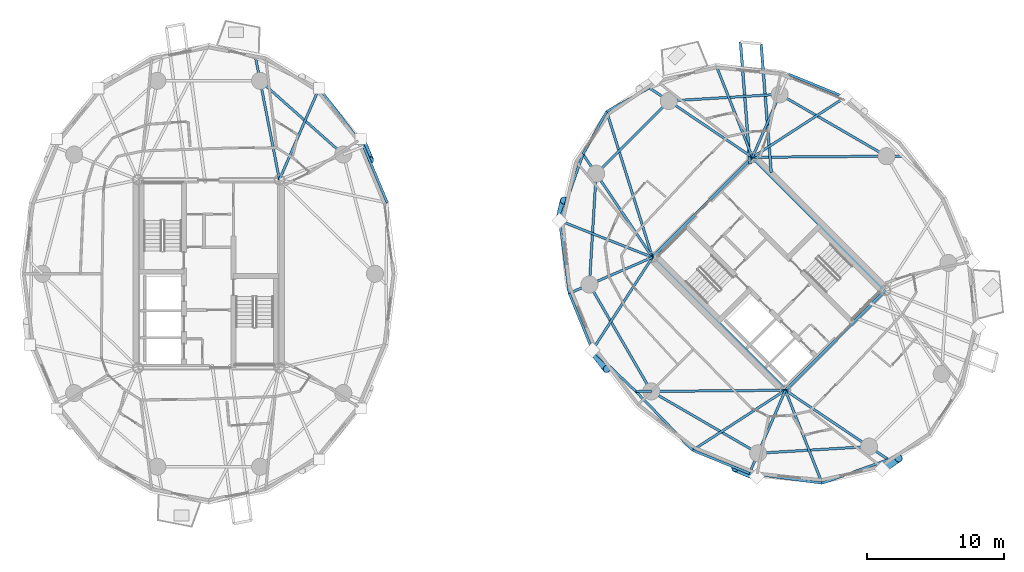
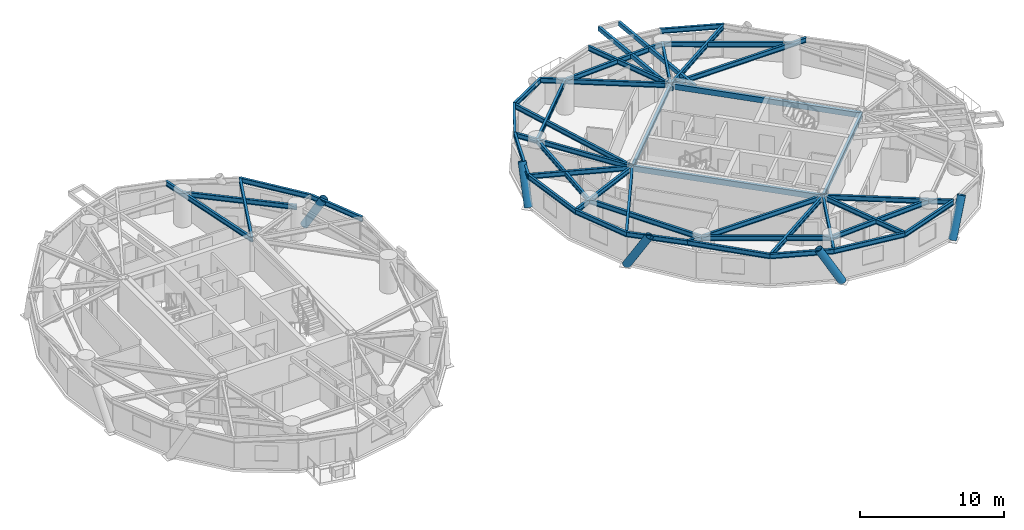
# One storey, part 4 of 19: 45 beams, 5 members.
"""IFC4 building model written with IfcOpenShell, lengths in metres."""

from ifc_helpers import new_model, si_unit, direction, frame, origin, origin_2d, place, context, subcontext, project, spatial, hollow_rectangle, hollow_circle, i_section, extrude, material, material_profile, profile_set, type_object, element, save


model = new_model("IFC4")

# Units and contexts
model_context = context("Model", 3, precision=1e-05, world=origin(), true_north=direction((0.0, 1.0)))
body_context = subcontext(model_context, "Body", "Model", "MODEL_VIEW")
ifc_project = project(units=[si_unit("LENGTHUNIT", "METRE"), si_unit("AREAUNIT", "SQUARE_METRE"), si_unit("VOLUMEUNIT", "CUBIC_METRE"), si_unit("PLANEANGLEUNIT", "RADIAN"), si_unit("MASSUNIT", "GRAM", prefix="KILO")], contexts=[model_context])

# Site, building, storey
site_placement = place(None, origin())
site = spatial("IfcSite", under=ifc_project, at=site_placement, CompositionType="ELEMENT")
building_placement = place(site_placement, origin())
building = spatial("IfcBuilding", under=site, at=building_placement, Name="Cununo Teusaquillo Station Towers", CompositionType="ELEMENT")
storey_placement = place(building_placement, frame((0.0, 0.0, 177.7900390625)))
storey = spatial("IfcBuildingStorey", under=building, at=storey_placement, Name="L56", CompositionType="ELEMENT", Elevation=177.7900390625)

# Beams
ifc_material_1 = material(Name="Steel EN 10025-2 S355J2", Category="steel")
ifc_material_profile_1 = material_profile(ifc_material_1, hollow_rectangle(XDim=0.199951171875, YDim=0.35009765625, WallThickness=0.013916015625, at=origin_2d()), Name="RHS 350x200x14")
ifc_profile_set_1 = profile_set([ifc_material_profile_1], Name="Steel EN 10025-2 S355J2")
beam_type_1 = type_object("IfcBeamType", Name="BM-BAL-CANT", PredefinedType="BEAM", material=ifc_profile_set_1)
beam_1_placement = place(storey_placement, frame((57.670166015625, 31.895751953125, 2.514892578125), z_axis=(-0.07823802751, 0.996934707517, 0.0), x_axis=(-0.996934707517, -0.07823802751, 0.0)))
element("IfcBeam", 1, at=beam_1_placement, inside=storey, type_object=beam_type_1, Name="L56 Tower B Balcony Cantilever Bracket 1A", PredefinedType="BEAM", context=body_context, shape_type="SweptSolid", body=[
    extrude(hollow_rectangle(XDim=0.199951171875, YDim=0.35009765625, WallThickness=0.013916015625, at=origin_2d()), origin(), (0.0, 0.0, 1.0), 9.458251953125),
])
beam_2_placement = place(storey_placement, frame((56.119384765625, 32.52392578125, 2.514892578125), z_axis=(-0.078230988808, 0.996935259879, 0.0), x_axis=(-0.996935259879, -0.078230988808, 0.0)))
element("IfcBeam", 2, at=beam_2_placement, inside=storey, type_object=beam_type_1, Name="L56 Tower B Balcony Cantilever Bracket 1B", PredefinedType="BEAM", context=body_context, shape_type="SweptSolid", body=[
    extrude(hollow_rectangle(XDim=0.199951171875, YDim=0.35009765625, WallThickness=0.013916015625, at=origin_2d()), origin(), (0.0, 0.0, 1.0), 8.978515625),
])
ifc_material_2 = material(Name="Steel EN 10025-2 S355J2", Category="steel")
ifc_material_profile_2 = material_profile(ifc_material_2, hollow_rectangle(XDim=0.25, YDim=0.449951171875, WallThickness=0.01611328125, at=origin_2d()), Name="RHS 450x250x16")
ifc_profile_set_2 = profile_set([ifc_material_profile_2], Name="Steel EN 10025-2 S355J2")
beam_type_2 = type_object("IfcBeamType", Name="BM-COUP-1", PredefinedType="USERDEFINED", material=ifc_profile_set_2)
for number, where, z_axis, x_axis, name in (
    (3, (58.70556640625, 15.975830078125, 2.46484375), (-0.707106781187, 0.707106781187, 0.0), (-0.707106781187, -0.707106781187, 0.0), "L56 Tower B Core Beam 1"),
    (4, (66.024169921875, 23.29443359375, 2.46484375), (-0.707106781187, 0.707106781187, 0.0), (-0.707106781187, -0.707106781187, 0.0), "L56 Tower B Core Beam 2"),
):
    element("IfcBeam", number, at=place(storey_placement, frame(where, z_axis=z_axis, x_axis=x_axis)), inside=storey, type_object=beam_type_2, Name=name, ObjectType="COUPLING BEAM", PredefinedType="USERDEFINED", context=body_context, shape_type="SweptSolid", body=[
        extrude(hollow_rectangle(XDim=0.25, YDim=0.449951171875, WallThickness=0.01611328125, at=origin_2d()), origin(), (0.0, 0.0, 1.0), 13.760009765625),
    ])
ifc_material_3 = material(Name="Steel ASTM A572 Grade 50", Category="steel")
ifc_material_profile_3 = material_profile(ifc_material_3, i_section(OverallWidth=0.180908203125, OverallDepth=0.4169921875, WebThickness=0.010986328125, FlangeThickness=0.018310546875, FilletRadius=0.012939453125, at=origin_2d()), Name="W16X57")
ifc_profile_set_3 = profile_set([ifc_material_profile_3], Name="Steel ASTM A572 Grade 50")
beam_type_3 = type_object("IfcBeamType", Name="BM-JOIST-1", PredefinedType="JOIST", material=ifc_profile_set_3)
beam_3_placement = place(storey_placement, frame((21.675048828125, 31.3798828125, 2.4814453125), z_axis=(0.397903718051, 0.917427180304, 0.0), x_axis=(-0.917427180304, 0.397903718051, 0.0)))
element("IfcBeam", 5, at=beam_3_placement, inside=storey, type_object=beam_type_3, Name="L56 Tower A Radial Spandrel Joist V03", PredefinedType="JOIST", context=body_context, shape_type="SweptSolid", body=[
    extrude(i_section(OverallWidth=0.180908203125, OverallDepth=0.4169921875, WebThickness=0.010986328125, FlangeThickness=0.018310546875, FilletRadius=0.012939453125, at=origin_2d()), origin(), (0.0, 0.0, 1.0), 7.306884765625),
])
beam_4_placement = place(storey_placement, frame((56.29443359375, 33.024169921875, 2.4814453125), z_axis=(0.839447756954, 0.543440395394, 0.0), x_axis=(-0.543440395394, 0.839447756954, 0.0)))
element("IfcBeam", 6, at=beam_4_placement, inside=storey, type_object=beam_type_3, Name="L56 Tower B Radial Spandrel Joist V01", PredefinedType="JOIST", context=body_context, shape_type="SweptSolid", body=[
    extrude(i_section(OverallWidth=0.180908203125, OverallDepth=0.4169921875, WebThickness=0.010986328125, FlangeThickness=0.018310546875, FilletRadius=0.012939453125, at=origin_2d()), origin(), (0.0, 0.0, 1.0), 8.08203125),
])
beam_5_placement = place(storey_placement, frame((56.29443359375, 33.024169921875, 2.4814453125), z_axis=(-0.367331607091, 0.93009004426, 0.0), x_axis=(-0.93009004426, -0.367331607091, 0.0)))
element("IfcBeam", 7, at=beam_5_placement, inside=storey, type_object=beam_type_3, Name="L56 Tower B Radial Spandrel Joist V03", PredefinedType="JOIST", context=body_context, shape_type="SweptSolid", body=[
    extrude(i_section(OverallWidth=0.180908203125, OverallDepth=0.4169921875, WebThickness=0.010986328125, FlangeThickness=0.018310546875, FilletRadius=0.012939453125, at=origin_2d()), origin(), (0.0, 0.0, 1.0), 7.306884765625),
])
beam_6_placement = place(storey_placement, frame((48.975830078125, 25.70556640625, 2.4814453125), z_axis=(-0.29947962656, 0.954102695351, 0.0), x_axis=(-0.954102695351, -0.29947962656, 0.0)))
element("IfcBeam", 8, at=beam_6_placement, inside=storey, type_object=beam_type_3, Name="L56 Tower B Radial Spandrel Joist V05", PredefinedType="JOIST", context=body_context, shape_type="SweptSolid", body=[
    extrude(i_section(OverallWidth=0.180908203125, OverallDepth=0.4169921875, WebThickness=0.010986328125, FlangeThickness=0.018310546875, FilletRadius=0.012939453125, at=origin_2d()), origin(), (0.0, 0.0, 1.0), 11.179931640625),
])
beam_7_placement = place(storey_placement, frame((48.975830078125, 25.70556640625, 2.4814453125), z_axis=(-0.93009004426, 0.367331607091, 0.0), x_axis=(-0.367331607091, -0.93009004426, 0.0)))
element("IfcBeam", 9, at=beam_7_placement, inside=storey, type_object=beam_type_3, Name="L56 Tower B Radial Spandrel Joist V07", PredefinedType="JOIST", context=body_context, shape_type="SweptSolid", body=[
    extrude(i_section(OverallWidth=0.180908203125, OverallDepth=0.4169921875, WebThickness=0.010986328125, FlangeThickness=0.018310546875, FilletRadius=0.012939453125, at=origin_2d()), origin(), (0.0, 0.0, 1.0), 7.306884765625),
])
for number, where, z_axis, x_axis, name in (
    (10, (48.975830078125, 25.70556640625, 2.4814453125), (-0.543440395394, -0.839447756954, 0.0), (0.839447756954, -0.543440395394, 0.0), "L56 Tower B Radial Spandrel Joist V09"),
    (11, (58.70556640625, 15.975830078125, 2.4814453125), (-0.839447756954, -0.543440395394, 0.0), (0.543440395394, -0.839447756954, 0.0), "L56 Tower B Radial Spandrel Joist V11"),
):
    element("IfcBeam", number, at=place(storey_placement, frame(where, z_axis=z_axis, x_axis=x_axis)), inside=storey, type_object=beam_type_3, Name=name, PredefinedType="JOIST", context=body_context, shape_type="SweptSolid", body=[
        extrude(i_section(OverallWidth=0.180908203125, OverallDepth=0.4169921875, WebThickness=0.010986328125, FlangeThickness=0.018310546875, FilletRadius=0.012939453125, at=origin_2d()), origin(), (0.0, 0.0, 1.0), 8.08203125),
    ])
beam_8_placement = place(storey_placement, frame((58.70556640625, 15.975830078125, 2.4814453125), z_axis=(0.367331607091, -0.93009004426, 0.0), x_axis=(0.93009004426, 0.367331607091, 0.0)))
element("IfcBeam", 12, at=beam_8_placement, inside=storey, type_object=beam_type_3, Name="L56 Tower B Radial Spandrel Joist V13", PredefinedType="JOIST", context=body_context, shape_type="SweptSolid", body=[
    extrude(i_section(OverallWidth=0.180908203125, OverallDepth=0.4169921875, WebThickness=0.010986328125, FlangeThickness=0.018310546875, FilletRadius=0.012939453125, at=origin_2d()), origin(), (0.0, 0.0, 1.0), 7.306884765625),
])
ifc_material_4 = material(Name="Steel ASTM A572 Grade 50", Category="steel")
ifc_material_profile_4 = material_profile(ifc_material_4, i_section(OverallWidth=0.2041015625, OverallDepth=0.35009765625, WebThickness=0.008544921875, FlangeThickness=0.01513671875, FilletRadius=0.011962890625, at=origin_2d()), Name="W14X48")
ifc_profile_set_4 = profile_set([ifc_material_profile_4], Name="Steel ASTM A572 Grade 50")
beam_type_4 = type_object("IfcBeamType", Name="BM-LINTEL-1", PredefinedType="LINTEL", material=ifc_profile_set_4)
for number, where, z_axis, x_axis, name in (
    (13, (58.70556640625, 15.975830078125, 2.514892578125), (0.707106781187, 0.707106781187, 0.0), (-0.707106781187, 0.707106781187, 0.0), "L56 Tower B Core Beam 3"),
    (14, (48.975830078125, 25.70556640625, 2.514892578125), (0.707106781187, 0.707106781187, 0.0), (-0.707106781187, 0.707106781187, 0.0), "L56 Tower B Core Beam 4"),
):
    element("IfcBeam", number, at=place(storey_placement, frame(where, z_axis=z_axis, x_axis=x_axis)), inside=storey, type_object=beam_type_4, Name=name, PredefinedType="LINTEL", context=body_context, shape_type="SweptSolid", body=[
        extrude(i_section(OverallWidth=0.2041015625, OverallDepth=0.35009765625, WebThickness=0.008544921875, FlangeThickness=0.01513671875, FilletRadius=0.011962890625, at=origin_2d()), origin(), (0.0, 0.0, 1.0), 10.35009765625),
    ])
ifc_material_5 = material(Name="Steel ASTM A572 Grade 50", Category="steel")
ifc_material_profile_5 = material_profile(ifc_material_5, i_section(OverallWidth=0.180908203125, OverallDepth=0.4169921875, WebThickness=0.010986328125, FlangeThickness=0.018310546875, FilletRadius=0.012939453125, at=origin_2d()), Name="W16X57")
ifc_profile_set_5 = profile_set([ifc_material_profile_5], Name="Steel ASTM A572 Grade 50")
beam_type_5 = type_object("IfcBeamType", Name="BM-RAD-G2", PredefinedType="BEAM", material=ifc_profile_set_5)
beam_9_placement = place(storey_placement, frame((21.675048828125, 31.3798828125, 2.4814453125), z_axis=(-0.191557018874, 0.981481486591, 0.0), x_axis=(-0.981481486591, -0.191557018874, 0.0)))
element("IfcBeam", 15, at=beam_9_placement, inside=storey, type_object=beam_type_5, Name="L56 Tower A Continuous Overhanging Radial Girder 03", PredefinedType="BEAM", context=body_context, shape_type="SweptSolid", body=[
    extrude(i_section(OverallWidth=0.180908203125, OverallDepth=0.4169921875, WebThickness=0.010986328125, FlangeThickness=0.018310546875, FilletRadius=0.012939453125, at=origin_2d()), origin(), (0.0, 0.0, 1.0), 9.097412109375),
])
beam_10_placement = place(storey_placement, frame((56.29443359375, 33.024169921875, 2.4814453125), z_axis=(0.999964410964, 0.008436634764, 0.0), x_axis=(-0.008436634764, 0.999964410964, 0.0)))
element("IfcBeam", 16, at=beam_10_placement, inside=storey, type_object=beam_type_5, Name="L56 Tower B Continuous Overhanging Radial Girder 01", PredefinedType="BEAM", context=body_context, shape_type="SweptSolid", body=[
    extrude(i_section(OverallWidth=0.180908203125, OverallDepth=0.4169921875, WebThickness=0.010986328125, FlangeThickness=0.018310546875, FilletRadius=0.012939453125, at=origin_2d()), origin(), (0.0, 0.0, 1.0), 10.938720703125),
])
beam_11_placement = place(storey_placement, frame((56.29443359375, 33.024169921875, 2.4814453125), z_axis=(0.397346986387, 0.917668443616, 0.0), x_axis=(-0.917668443616, 0.397346986387, 0.0)))
element("IfcBeam", 17, at=beam_11_placement, inside=storey, type_object=beam_type_5, Name="L56 Tower B Radial Girder 02A", PredefinedType="BEAM", context=body_context, shape_type="SweptSolid", body=[
    extrude(i_section(OverallWidth=0.180908203125, OverallDepth=0.4169921875, WebThickness=0.010986328125, FlangeThickness=0.018310546875, FilletRadius=0.012939453125, at=origin_2d()), origin(), (0.0, 0.0, 1.0), 5.02490234375),
])
for number, where, z_axis, x_axis, name in (
    (18, (56.29443359375, 33.024169921875, 2.4814453125), (-0.829456719326, 0.558570989907, 0.0), (-0.558570989907, -0.829456719326, 0.0), "L56 Tower B Continuous Overhanging Radial Girder 03"),
    (19, (48.975830078125, 25.70556640625, 2.4814453125), (-0.558570989907, 0.829456719326, 0.0), (-0.829456719326, -0.558570989907, 0.0), "L56 Tower B Continuous Overhanging Radial Girder 04"),
):
    element("IfcBeam", number, at=place(storey_placement, frame(where, z_axis=z_axis, x_axis=x_axis)), inside=storey, type_object=beam_type_5, Name=name, PredefinedType="BEAM", context=body_context, shape_type="SweptSolid", body=[
        extrude(i_section(OverallWidth=0.180908203125, OverallDepth=0.4169921875, WebThickness=0.010986328125, FlangeThickness=0.018310546875, FilletRadius=0.012939453125, at=origin_2d()), origin(), (0.0, 0.0, 1.0), 9.097412109375),
    ])
beam_12_placement = place(storey_placement, frame((48.975830078125, 25.70556640625, 2.4814453125), z_axis=(-0.917664823247, -0.397355347486, 0.0), x_axis=(0.397355347486, -0.917664823247, 0.0)))
element("IfcBeam", 20, at=beam_12_placement, inside=storey, type_object=beam_type_5, Name="L56 Tower B Continuous Overhanging Radial Girder 05", PredefinedType="BEAM", context=body_context, shape_type="SweptSolid", body=[
    extrude(i_section(OverallWidth=0.180908203125, OverallDepth=0.4169921875, WebThickness=0.010986328125, FlangeThickness=0.018310546875, FilletRadius=0.012939453125, at=origin_2d()), origin(), (0.0, 0.0, 1.0), 6.632080078125),
])
beam_13_placement = place(storey_placement, frame((58.70556640625, 15.975830078125, 2.4814453125), z_axis=(-0.999964431382, -0.008434214327, 0.0), x_axis=(0.008434214327, -0.999964431382, 0.0)))
element("IfcBeam", 21, at=beam_13_placement, inside=storey, type_object=beam_type_5, Name="L56 Tower B Radial Girder 06A", PredefinedType="BEAM", context=body_context, shape_type="SweptSolid", body=[
    extrude(i_section(OverallWidth=0.180908203125, OverallDepth=0.4169921875, WebThickness=0.010986328125, FlangeThickness=0.018310546875, FilletRadius=0.012939453125, at=origin_2d()), origin(), (0.0, 0.0, 1.0), 9.812744140625),
])
beam_14_placement = place(storey_placement, frame((48.89306640625, 15.89306640625, 2.4814453125), z_axis=(-0.99996423274, -0.008457732613, 0.0), x_axis=(0.008457732613, -0.99996423274, 0.0)))
element("IfcBeam", 22, at=beam_14_placement, inside=storey, type_object=beam_type_5, Name="L56 Tower B Perimeter Overhang Girder 06B", PredefinedType="BEAM", context=body_context, shape_type="SweptSolid", body=[
    extrude(i_section(OverallWidth=0.180908203125, OverallDepth=0.4169921875, WebThickness=0.010986328125, FlangeThickness=0.018310546875, FilletRadius=0.012939453125, at=origin_2d()), origin(), (0.0, 0.0, 1.0), 1.125732421875),
])
beam_15_placement = place(storey_placement, frame((58.70556640625, 15.975830078125, 2.4814453125), z_axis=(-0.397355347486, -0.917664823247, 0.0), x_axis=(0.917664823247, -0.397355347486, 0.0)))
element("IfcBeam", 23, at=beam_15_placement, inside=storey, type_object=beam_type_5, Name="L56 Tower B Continuous Overhanging Radial Girder 07", PredefinedType="BEAM", context=body_context, shape_type="SweptSolid", body=[
    extrude(i_section(OverallWidth=0.180908203125, OverallDepth=0.4169921875, WebThickness=0.010986328125, FlangeThickness=0.018310546875, FilletRadius=0.012939453125, at=origin_2d()), origin(), (0.0, 0.0, 1.0), 6.632080078125),
])
beam_16_placement = place(storey_placement, frame((58.70556640625, 15.975830078125, 2.4814453125), z_axis=(0.829456719326, -0.558570989907, 0.0), x_axis=(0.558570989907, 0.829456719326, 0.0)))
element("IfcBeam", 24, at=beam_16_placement, inside=storey, type_object=beam_type_5, Name="L56 Tower B Continuous Overhanging Radial Girder 08", PredefinedType="BEAM", context=body_context, shape_type="SweptSolid", body=[
    extrude(i_section(OverallWidth=0.180908203125, OverallDepth=0.4169921875, WebThickness=0.010986328125, FlangeThickness=0.018310546875, FilletRadius=0.012939453125, at=origin_2d()), origin(), (0.0, 0.0, 1.0), 9.097412109375),
])
ifc_material_6 = material(Name="Steel ASTM A572 Grade 50", Category="steel")
ifc_material_profile_6 = material_profile(ifc_material_6, i_section(OverallWidth=0.180908203125, OverallDepth=0.4169921875, WebThickness=0.010986328125, FlangeThickness=0.018310546875, FilletRadius=0.012939453125, at=origin_2d()), Name="W16X57")
ifc_profile_set_6 = profile_set([ifc_material_profile_6], Name="Steel ASTM A572 Grade 50")
beam_type_6 = type_object("IfcBeamType", Name="BM-RING-Z3", PredefinedType="SPANDREL", material=ifc_profile_set_6)
beam_17_placement = place(storey_placement, frame((26.347412109375, 33.228515625, 2.4814453125), z_axis=(-0.74832120039, 0.66333655187, 0.0), x_axis=(-0.66333655187, -0.74832120039, 0.0)))
element("IfcBeam", 25, at=beam_17_placement, inside=storey, type_object=beam_type_6, Name="L56 Tower A Structural Column Ring Girder 02", PredefinedType="SPANDREL", context=body_context, shape_type="SweptSolid", body=[
    extrude(i_section(OverallWidth=0.180908203125, OverallDepth=0.4169921875, WebThickness=0.010986328125, FlangeThickness=0.018310546875, FilletRadius=0.012939453125, at=origin_2d()), origin(), (0.0, 0.0, 1.0), 8.1328125),
])
beam_18_placement = place(storey_placement, frame((29.577880859375, 29.6884765625, 2.4814453125), z_axis=(-0.387360300858, 0.921928412253, 0.0), x_axis=(-0.921928412253, -0.387360300858, 0.0)))
element("IfcBeam", 26, at=beam_18_placement, inside=storey, type_object=beam_type_6, Name="L56 Tower A Spandrel Ring Beam 02", PredefinedType="SPANDREL", context=body_context, shape_type="SweptSolid", body=[
    extrude(i_section(OverallWidth=0.180908203125, OverallDepth=0.4169921875, WebThickness=0.010986328125, FlangeThickness=0.018310546875, FilletRadius=0.012939453125, at=origin_2d()), origin(), (0.0, 0.0, 1.0), 4.481201171875),
])
beam_19_placement = place(storey_placement, frame((27.842041015625, 33.81982421875, 2.4814453125), z_axis=(-0.607340349092, 0.794441753916, 0.0), x_axis=(-0.794441753916, -0.607340349092, 0.0)))
element("IfcBeam", 27, at=beam_19_placement, inside=storey, type_object=beam_type_6, Name="L56 Tower A Spandrel Ring Beam 03", PredefinedType="SPANDREL", context=body_context, shape_type="SweptSolid", body=[
    extrude(i_section(OverallWidth=0.180908203125, OverallDepth=0.4169921875, WebThickness=0.010986328125, FlangeThickness=0.018310546875, FilletRadius=0.012939453125, at=origin_2d()), origin(), (0.0, 0.0, 1.0), 5.366943359375),
])
beam_20_placement = place(storey_placement, frame((66.10693359375, 33.10693359375, 2.4814453125), z_axis=(-0.865267103202, 0.501311121078, 0.0), x_axis=(-0.501311121078, -0.865267103202, 0.0)))
element("IfcBeam", 28, at=beam_20_placement, inside=storey, type_object=beam_type_6, Name="L56 Tower B Structural Column Ring Girder 01", PredefinedType="SPANDREL", context=body_context, shape_type="SweptSolid", body=[
    extrude(i_section(OverallWidth=0.180908203125, OverallDepth=0.4169921875, WebThickness=0.010986328125, FlangeThickness=0.018310546875, FilletRadius=0.012939453125, at=origin_2d()), origin(), (0.0, 0.0, 1.0), 9.032958984375),
])
beam_21_placement = place(storey_placement, frame((58.291015625, 37.63525390625, 2.4814453125), z_axis=(-0.998190567048, -0.06012979176, 0.0), x_axis=(0.06012979176, -0.998190567048, 0.0)))
element("IfcBeam", 29, at=beam_21_placement, inside=storey, type_object=beam_type_6, Name="L56 Tower B Structural Column Ring Girder 02", PredefinedType="SPANDREL", context=body_context, shape_type="SweptSolid", body=[
    extrude(i_section(OverallWidth=0.180908203125, OverallDepth=0.4169921875, WebThickness=0.010986328125, FlangeThickness=0.018310546875, FilletRadius=0.012939453125, at=origin_2d()), origin(), (0.0, 0.0, 1.0), 8.132568359375),
])
beam_22_placement = place(storey_placement, frame((50.173095703125, 37.146240234375, 2.4814453125), z_axis=(-0.707106781187, -0.707106781187, 0.0), x_axis=(0.707106781187, -0.707106781187, 0.0)))
element("IfcBeam", 30, at=beam_22_placement, inside=storey, type_object=beam_type_6, Name="L56 Tower B Structural Column Ring Girder 03", PredefinedType="SPANDREL", context=body_context, shape_type="SweptSolid", body=[
    extrude(i_section(OverallWidth=0.180908203125, OverallDepth=0.4169921875, WebThickness=0.010986328125, FlangeThickness=0.018310546875, FilletRadius=0.012939453125, at=origin_2d()), origin(), (0.0, 0.0, 1.0), 7.522705078125),
])
beam_23_placement = place(storey_placement, frame((44.853759765625, 31.826904296875, 2.4814453125), z_axis=(-0.06012979176, -0.998190567048, 0.0), x_axis=(0.998190567048, -0.06012979176, 0.0)))
element("IfcBeam", 31, at=beam_23_placement, inside=storey, type_object=beam_type_6, Name="L56 Tower B Structural Column Ring Girder 04", PredefinedType="SPANDREL", context=body_context, shape_type="SweptSolid", body=[
    extrude(i_section(OverallWidth=0.180908203125, OverallDepth=0.4169921875, WebThickness=0.010986328125, FlangeThickness=0.018310546875, FilletRadius=0.012939453125, at=origin_2d()), origin(), (0.0, 0.0, 1.0), 8.132568359375),
])
for number, where, z_axis, x_axis, name in (
    (32, (44.36474609375, 23.708984375, 2.4814453125), (0.501311121078, -0.865267103202, 0.0), (0.865267103202, 0.501311121078, 0.0), "L56 Tower B Structural Column Ring Girder 05"),
    (33, (48.89306640625, 15.89306640625, 2.4814453125), (0.865267103202, -0.501311121078, 0.0), (0.501311121078, 0.865267103202, 0.0), "L56 Tower B Structural Column Ring Girder 06"),
):
    element("IfcBeam", number, at=place(storey_placement, frame(where, z_axis=z_axis, x_axis=x_axis)), inside=storey, type_object=beam_type_6, Name=name, PredefinedType="SPANDREL", context=body_context, shape_type="SweptSolid", body=[
        extrude(i_section(OverallWidth=0.180908203125, OverallDepth=0.4169921875, WebThickness=0.010986328125, FlangeThickness=0.018310546875, FilletRadius=0.012939453125, at=origin_2d()), origin(), (0.0, 0.0, 1.0), 9.032958984375),
    ])
beam_24_placement = place(storey_placement, frame((56.708984375, 11.36474609375, 2.4814453125), z_axis=(0.998190567048, 0.06012979176, 0.0), x_axis=(-0.06012979176, 0.998190567048, 0.0)))
element("IfcBeam", 34, at=beam_24_placement, inside=storey, type_object=beam_type_6, Name="L56 Tower B Structural Column Ring Girder 07", PredefinedType="SPANDREL", context=body_context, shape_type="SweptSolid", body=[
    extrude(i_section(OverallWidth=0.180908203125, OverallDepth=0.4169921875, WebThickness=0.010986328125, FlangeThickness=0.018310546875, FilletRadius=0.012939453125, at=origin_2d()), origin(), (0.0, 0.0, 1.0), 8.132568359375),
])
beam_25_placement = place(storey_placement, frame((63.078857421875, 37.416259765625, 2.4814453125), z_axis=(-0.925823525235, 0.377956082264, 0.0), x_axis=(-0.377956082264, -0.925823525235, 0.0)))
element("IfcBeam", 35, at=beam_25_placement, inside=storey, type_object=beam_type_6, Name="L56 Tower B Spandrel Ring Beam 02", PredefinedType="SPANDREL", context=body_context, shape_type="SweptSolid", body=[
    extrude(i_section(OverallWidth=0.180908203125, OverallDepth=0.4169921875, WebThickness=0.010986328125, FlangeThickness=0.018310546875, FilletRadius=0.012939453125, at=origin_2d()), origin(), (0.0, 0.0, 1.0), 4.481689453125),
])
for number, where, z_axis, x_axis, name in (
    (36, (48.74853515625, 38.105712890625, 2.4814453125), (-0.874205659621, -0.485555830659, 0.0), (0.485555830659, -0.874205659621, 0.0), "L56 Tower B Spandrel Ring Beam 05"),
    (37, (45.627685546875, 36.372314453125, 2.4814453125), (-0.485555830659, -0.874205659621, 0.0), (0.874205659621, -0.485555830659, 0.0), "L56 Tower B Spandrel Ring Beam 06"),
):
    element("IfcBeam", number, at=place(storey_placement, frame(where, z_axis=z_axis, x_axis=x_axis)), inside=storey, type_object=beam_type_6, Name=name, PredefinedType="SPANDREL", context=body_context, shape_type="SweptSolid", body=[
        extrude(i_section(OverallWidth=0.180908203125, OverallDepth=0.4169921875, WebThickness=0.010986328125, FlangeThickness=0.018310546875, FilletRadius=0.012939453125, at=origin_2d()), origin(), (0.0, 0.0, 1.0), 3.56982421875),
    ])
beam_26_placement = place(storey_placement, frame((43.894287109375, 33.25146484375, 2.4814453125), z_axis=(-0.332589733158, -0.943071614141, 0.0), x_axis=(0.943071614141, -0.332589733158, 0.0)))
element("IfcBeam", 38, at=beam_26_placement, inside=storey, type_object=beam_type_6, Name="L56 Tower B Spandrel Ring Beam 07", PredefinedType="SPANDREL", context=body_context, shape_type="SweptSolid", body=[
    extrude(i_section(OverallWidth=0.180908203125, OverallDepth=0.4169921875, WebThickness=0.010986328125, FlangeThickness=0.018310546875, FilletRadius=0.012939453125, at=origin_2d()), origin(), (0.0, 0.0, 1.0), 5.1552734375),
])
beam_27_placement = place(storey_placement, frame((42.1796875, 28.3896484375, 2.4814453125), z_axis=(0.132339532096, -0.991204443213, 0.0), x_axis=(0.991204443213, 0.132339532096, 0.0)))
element("IfcBeam", 39, at=beam_27_placement, inside=storey, type_object=beam_type_6, Name="L56 Tower B Spandrel Ring Beam 08", PredefinedType="SPANDREL", context=body_context, shape_type="SweptSolid", body=[
    extrude(i_section(OverallWidth=0.180908203125, OverallDepth=0.4169921875, WebThickness=0.010986328125, FlangeThickness=0.018310546875, FilletRadius=0.012939453125, at=origin_2d()), origin(), (0.0, 0.0, 1.0), 5.366455078125),
])
beam_28_placement = place(storey_placement, frame((42.889892578125, 23.0703125, 2.4814453125), z_axis=(0.377956082264, -0.925823525235, 0.0), x_axis=(0.925823525235, 0.377956082264, 0.0)))
element("IfcBeam", 40, at=beam_28_placement, inside=storey, type_object=beam_type_6, Name="L56 Tower B Spandrel Ring Beam 09", PredefinedType="SPANDREL", context=body_context, shape_type="SweptSolid", body=[
    extrude(i_section(OverallWidth=0.180908203125, OverallDepth=0.4169921875, WebThickness=0.010986328125, FlangeThickness=0.018310546875, FilletRadius=0.012939453125, at=origin_2d()), origin(), (0.0, 0.0, 1.0), 4.481689453125),
])
beam_29_placement = place(storey_placement, frame((44.583740234375, 18.921142578125, 2.4814453125), z_axis=(0.723501643849, -0.690322657421, 0.0), x_axis=(0.690322657421, 0.723501643849, 0.0)))
element("IfcBeam", 41, at=beam_29_placement, inside=storey, type_object=beam_type_6, Name="L56 Tower B Spandrel Ring Beam 10", PredefinedType="SPANDREL", context=body_context, shape_type="SweptSolid", body=[
    extrude(i_section(OverallWidth=0.180908203125, OverallDepth=0.4169921875, WebThickness=0.010986328125, FlangeThickness=0.018310546875, FilletRadius=0.012939453125, at=origin_2d()), origin(), (0.0, 0.0, 1.0), 4.400146484375),
])
beam_30_placement = place(storey_placement, frame((47.767333984375, 15.883544921875, 2.4814453125), z_axis=(0.694791256552, -0.719211450005, 0.0), x_axis=(0.719211450005, 0.694791256552, 0.0)))
element("IfcBeam", 42, at=beam_30_placement, inside=storey, type_object=beam_type_6, Name="L56 Tower B Spandrel Ring Beam 11", PredefinedType="SPANDREL", context=body_context, shape_type="SweptSolid", body=[
    extrude(i_section(OverallWidth=0.180908203125, OverallDepth=0.4169921875, WebThickness=0.010986328125, FlangeThickness=0.018310546875, FilletRadius=0.012939453125, at=origin_2d()), origin(), (0.0, 0.0, 1.0), 5.978515625),
])
beam_31_placement = place(storey_placement, frame((51.921142578125, 11.583740234375, 2.4814453125), z_axis=(0.925823525235, -0.377956082264, 0.0), x_axis=(0.377956082264, 0.925823525235, 0.0)))
element("IfcBeam", 43, at=beam_31_placement, inside=storey, type_object=beam_type_6, Name="L56 Tower B Spandrel Ring Beam 12", PredefinedType="SPANDREL", context=body_context, shape_type="SweptSolid", body=[
    extrude(i_section(OverallWidth=0.180908203125, OverallDepth=0.4169921875, WebThickness=0.010986328125, FlangeThickness=0.018310546875, FilletRadius=0.012939453125, at=origin_2d()), origin(), (0.0, 0.0, 1.0), 4.481689453125),
])
beam_32_placement = place(storey_placement, frame((56.0703125, 9.889892578125, 2.4814453125), z_axis=(0.991204443213, -0.132339532096, 0.0), x_axis=(0.132339532096, 0.991204443213, 0.0)))
element("IfcBeam", 44, at=beam_32_placement, inside=storey, type_object=beam_type_6, Name="L56 Tower B Spandrel Ring Beam 13", PredefinedType="SPANDREL", context=body_context, shape_type="SweptSolid", body=[
    extrude(i_section(OverallWidth=0.180908203125, OverallDepth=0.4169921875, WebThickness=0.010986328125, FlangeThickness=0.018310546875, FilletRadius=0.012939453125, at=origin_2d()), origin(), (0.0, 0.0, 1.0), 5.366455078125),
])
beam_33_placement = place(storey_placement, frame((61.3896484375, 9.1796875, 2.4814453125), z_axis=(0.943071614141, 0.332589733158, 0.0), x_axis=(-0.332589733158, 0.943071614141, 0.0)))
element("IfcBeam", 45, at=beam_33_placement, inside=storey, type_object=beam_type_6, Name="L56 Tower B Spandrel Ring Beam 14", PredefinedType="SPANDREL", context=body_context, shape_type="SweptSolid", body=[
    extrude(i_section(OverallWidth=0.180908203125, OverallDepth=0.4169921875, WebThickness=0.010986328125, FlangeThickness=0.018310546875, FilletRadius=0.012939453125, at=origin_2d()), origin(), (0.0, 0.0, 1.0), 5.1552734375),
])

# Members
ifc_material_7 = material(Name="Steel EN 10025-2 S355J2", Category="steel")
ifc_material_profile_7 = material_profile(ifc_material_7, hollow_circle(Radius=0.304931640625, WallThickness=0.02001953125, at=origin_2d()), Name="CHS 610x20")
ifc_profile_set_7 = profile_set([ifc_material_profile_7], Name="Steel EN 10025-2 S355J2")
member_type = type_object("IfcMemberType", Name="MBR-DIAG-Z3", PredefinedType="BRACE", material=ifc_profile_set_7)
member_1_placement = place(storey_placement, frame((27.624755859375, 34.368896484375, -0.14013671875), z_axis=(0.193462029796, -0.463597987411, 0.864667189788), x_axis=(0.922867447473, 0.38511774095, 0.0)))
element("IfcMember", 46, at=member_1_placement, inside=storey, type_object=member_type, Name="L56 Tower A Folded-Zigzag Diagrid Tube C01", PredefinedType="BRACE", context=body_context, shape_type="SweptSolid", body=[
    extrude(hollow_circle(Radius=0.304931640625, WallThickness=0.02001953125, at=origin_2d()), origin(), (0.0, 0.0, 1.0), 3.36572265625),
])
member_2_placement = place(storey_placement, frame((42.1796875, 28.3896484375, -0.14013671875), z_axis=(0.104252251672, 0.447338289341, 0.88826793419), x_axis=(-0.973902205409, 0.226968046871, 0.0)))
element("IfcMember", 47, at=member_2_placement, inside=storey, type_object=member_type, Name="L56 Tower B Folded-Zigzag Diagrid Tube C06", PredefinedType="BRACE", context=body_context, shape_type="SweptSolid", body=[
    extrude(hollow_circle(Radius=0.304931640625, WallThickness=0.02001953125, at=origin_2d()), origin(), (0.0, 0.0, 1.0), 3.276123046875),
])
member_3_placement = place(storey_placement, frame((44.583740234375, 18.921142578125, -0.14013671875), z_axis=(0.313686231363, -0.407166023641, 0.857797631989), x_axis=(0.792170953282, 0.6102992551, 0.0)))
element("IfcMember", 48, at=member_3_placement, inside=storey, type_object=member_type, Name="L56 Tower B Folded-Zigzag Diagrid Tube C09", PredefinedType="BRACE", context=body_context, shape_type="SweptSolid", body=[
    extrude(hollow_circle(Radius=0.304931640625, WallThickness=0.02001953125, at=origin_2d()), origin(), (0.0, 0.0, 1.0), 3.392578125),
])
member_4_placement = place(storey_placement, frame((56.61181640625, 9.6552734375, -0.14013671875), z_axis=(-0.464557943552, 0.191002664799, 0.864698733157), x_axis=(-0.380263076079, -0.924878366582, 0.0)))
element("IfcMember", 49, at=member_4_placement, inside=storey, type_object=member_type, Name="L56 Tower B Folded-Zigzag Diagrid Tube C11", PredefinedType="BRACE", context=body_context, shape_type="SweptSolid", body=[
    extrude(hollow_circle(Radius=0.304931640625, WallThickness=0.02001953125, at=origin_2d()), origin(), (0.0, 0.0, 1.0), 3.365478515625),
])
member_5_placement = place(storey_placement, frame((65.78662109375, 10.2041015625, -0.14013671875), z_axis=(0.367933946506, 0.248721844533, 0.895969896292), x_axis=(-0.560039546625, 0.828465875107, 0.0)))
element("IfcMember", 50, at=member_5_placement, inside=storey, type_object=member_type, Name="L56 Tower B Folded-Zigzag Diagrid Tube C14", PredefinedType="BRACE", context=body_context, shape_type="SweptSolid", body=[
    extrude(hollow_circle(Radius=0.304931640625, WallThickness=0.02001953125, at=origin_2d()), origin(), (0.0, 0.0, 1.0), 3.248046875),
])

save(model, "model.ifc")
